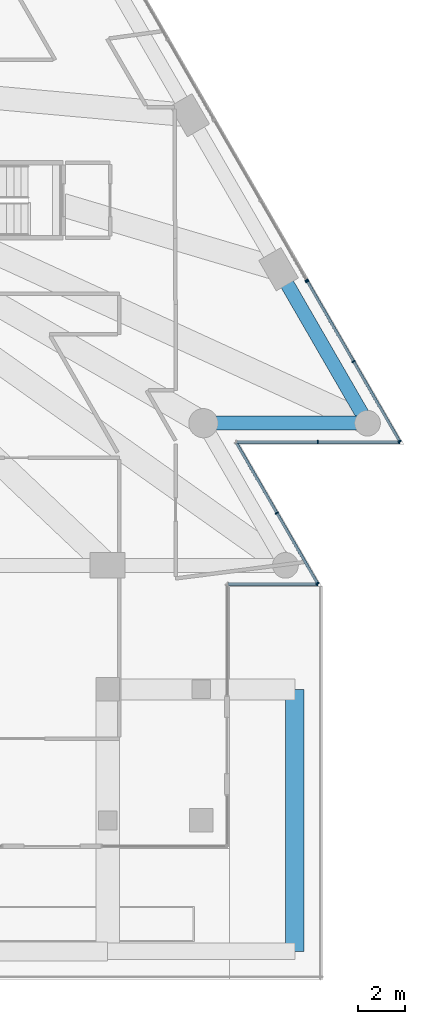
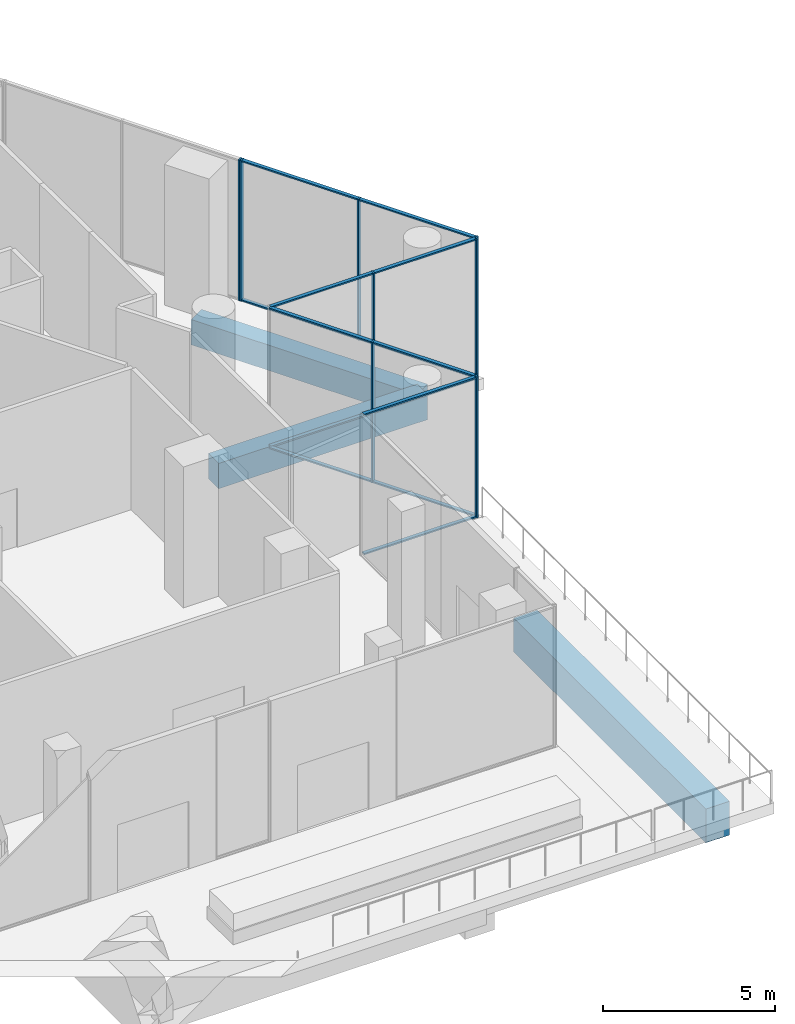
# One storey, part 15 of 29: 23 members, 3 beams, 5 elements without a shape of their own.
"""IFC4 building model written with IfcOpenShell, lengths in metres."""

from ifc_helpers import new_model, si_unit, direction, frame, origin, origin_2d, place, context, subcontext, project, spatial, rectangle, extrude, material, layer, layer_set, material_profile, profile_set, type_object, element, aggregate, save


model = new_model("IFC4")

# Units and contexts
model_context = context("Model", 3, precision=1e-05, world=origin(), true_north=direction((0.0, 1.0)))
body_context = subcontext(model_context, "Body", "Model", "MODEL_VIEW")
ifc_project = project(units=[si_unit("LENGTHUNIT", "METRE"), si_unit("AREAUNIT", "SQUARE_METRE"), si_unit("VOLUMEUNIT", "CUBIC_METRE"), si_unit("PLANEANGLEUNIT", "RADIAN"), si_unit("MASSUNIT", "GRAM", prefix="KILO")], contexts=[model_context])

# Site, building, storey
site_placement = place(None, origin())
site = spatial("IfcSite", under=ifc_project, at=site_placement, CompositionType="ELEMENT")
building_placement = place(site_placement, origin())
building = spatial("IfcBuilding", under=site, at=building_placement, Name="Triada Interchange Tower", CompositionType="ELEMENT")
storey_placement = place(building_placement, frame((0.0, 0.0, 19.89990234375)))
storey = spatial("IfcBuildingStorey", under=building, at=storey_placement, Name="L03", CompositionType="ELEMENT", Elevation=19.89990234375)

# Curtain wall, member
ifc_material_1 = material(Name="Aluminium framed glazing", Category="aluminium")
ifc_layer = layer(ifc_material_1, 0.199951171875)
ifc_layer_set = layer_set([ifc_layer], Name="Curtain wall Retail shopfront")
curtain_wall_type = type_object("IfcCurtainWallType", Name="Curtain wall Retail shopfront", PredefinedType="NOTDEFINED", material=ifc_layer_set)
curtain_wall_1_placement = place(storey_placement, origin())
curtain_wall_1 = element("IfcCurtainWall", 1, at=curtain_wall_1_placement, inside=storey, type_object=curtain_wall_type, Name="Retail shopfront CW010 L03", PredefinedType="NOTDEFINED")
ifc_material_2 = material(Name="Aluminium", Category="aluminium")
ifc_material_profile_1 = material_profile(ifc_material_2, rectangle(XDim=0.14990234375, YDim=0.050048828125, at=origin_2d()), Name="Aluminium mullion")
ifc_profile_set_1 = profile_set([ifc_material_profile_1], Name="Aluminium")
member_type_1 = type_object("IfcMemberType", Name="Mullion Retail shopfront 150x50", PredefinedType="MULLION", material=ifc_profile_set_1)
member_1_placement = place(storey_placement, frame((31.758056640625, -22.39990234375, 0.0), z_axis=(0.0, 0.0, 1.0), x_axis=(0.0, 1.0, 0.0)))
member_1 = element("IfcMember", 2, at=member_1_placement, type_object=member_type_1, Name="CW010 mullion 2", PredefinedType="MULLION", context=body_context, shape_type="SweptSolid", body=[
    extrude(rectangle(XDim=0.14990234375, YDim=0.050048828125, at=origin_2d()), origin(), (0.0, 0.0, 1.0), 5.0),
])

# Curtain wall, members
curtain_wall_2_placement = place(storey_placement, origin())
curtain_wall_2 = element("IfcCurtainWall", 3, at=curtain_wall_2_placement, inside=storey, type_object=curtain_wall_type, Name="Retail shopfront CW011 L03", PredefinedType="NOTDEFINED")
member_2_placement = place(storey_placement, frame((31.7705078125, -22.37841796875, 0.0), z_axis=(0.0, 0.0, 1.0), x_axis=(-0.866050272896, -0.499956922962, 0.0)))
member_2 = element("IfcMember", 4, at=member_2_placement, type_object=member_type_1, Name="CW011 mullion 1", PredefinedType="MULLION", context=body_context, shape_type="SweptSolid", body=[
    extrude(rectangle(XDim=0.14990234375, YDim=0.050048828125, at=origin_2d()), origin(), (0.0, 0.0, 1.0), 5.0),
])
member_3_placement = place(storey_placement, frame((30.029541015625, -19.362548828125, 0.0), z_axis=(0.0, 0.0, 1.0), x_axis=(-0.866050272896, -0.499956922962, 0.0)))
member_3 = element("IfcMember", 5, at=member_3_placement, type_object=member_type_1, Name="CW011 mullion 2", PredefinedType="MULLION", context=body_context, shape_type="SweptSolid", body=[
    extrude(rectangle(XDim=0.14990234375, YDim=0.050048828125, at=origin_2d()), origin(), (0.0, 0.0, 1.0), 5.0),
])

curtain_wall_3_placement = place(storey_placement, origin())
curtain_wall_3 = element("IfcCurtainWall", 6, at=curtain_wall_3_placement, inside=storey, type_object=curtain_wall_type, Name="Retail shopfront CW012 L03", PredefinedType="NOTDEFINED")
member_4_placement = place(storey_placement, frame((31.783447265625, -16.324951171875, 0.0), z_axis=(0.0, 0.0, 1.0), x_axis=(0.0, 1.0, 0.0)))
member_4 = element("IfcMember", 7, at=member_4_placement, type_object=member_type_1, Name="CW012 mullion 2", PredefinedType="MULLION", context=body_context, shape_type="SweptSolid", body=[
    extrude(rectangle(XDim=0.14990234375, YDim=0.050048828125, at=origin_2d()), origin(), (0.0, 0.0, 1.0), 5.0),
])
member_5_placement = place(storey_placement, frame((35.26611328125, -16.324951171875, 0.0), z_axis=(0.0, 0.0, 1.0), x_axis=(0.0, 1.0, 0.0)))
member_5 = element("IfcMember", 8, at=member_5_placement, type_object=member_type_1, Name="CW012 mullion 3", PredefinedType="MULLION", context=body_context, shape_type="SweptSolid", body=[
    extrude(rectangle(XDim=0.14990234375, YDim=0.050048828125, at=origin_2d()), origin(), (0.0, 0.0, 1.0), 5.0),
])

curtain_wall_4_placement = place(storey_placement, origin())
curtain_wall_4 = element("IfcCurtainWall", 9, at=curtain_wall_4_placement, inside=storey, type_object=curtain_wall_type, Name="Retail shopfront CW013 L03", PredefinedType="NOTDEFINED")
member_6_placement = place(storey_placement, frame((35.278564453125, -16.303466796875, 0.0), z_axis=(0.0, 0.0, 1.0), x_axis=(-0.86604927658, -0.499958648825, 0.0)))
member_6 = element("IfcMember", 10, at=member_6_placement, type_object=member_type_1, Name="CW013 mullion 1", PredefinedType="MULLION", context=body_context, shape_type="SweptSolid", body=[
    extrude(rectangle(XDim=0.14990234375, YDim=0.050048828125, at=origin_2d()), origin(), (0.0, 0.0, 1.0), 5.0),
])
member_7_placement = place(storey_placement, frame((33.305908203125, -12.886474609375, 0.0), z_axis=(0.0, 0.0, 1.0), x_axis=(-0.86604927658, -0.499958648825, 0.0)))
member_7 = element("IfcMember", 11, at=member_7_placement, type_object=member_type_1, Name="CW013 mullion 2", PredefinedType="MULLION", context=body_context, shape_type="SweptSolid", body=[
    extrude(rectangle(XDim=0.14990234375, YDim=0.050048828125, at=origin_2d()), origin(), (0.0, 0.0, 1.0), 5.0),
])
member_8_placement = place(storey_placement, frame((31.33349609375, -9.4697265625, 0.0), z_axis=(0.0, 0.0, 1.0), x_axis=(-0.86604927658, -0.499958648825, 0.0)))
member_8 = element("IfcMember", 12, at=member_8_placement, type_object=member_type_1, Name="CW013 mullion 3", PredefinedType="MULLION", context=body_context, shape_type="SweptSolid", body=[
    extrude(rectangle(XDim=0.14990234375, YDim=0.050048828125, at=origin_2d()), origin(), (0.0, 0.0, 1.0), 5.0),
])

# Curtain wall, member
curtain_wall_5_placement = place(storey_placement, origin())
curtain_wall_5 = element("IfcCurtainWall", 13, at=curtain_wall_5_placement, inside=storey, type_object=curtain_wall_type, Name="Retail shopfront CW014 L03", PredefinedType="NOTDEFINED")
member_9_placement = place(storey_placement, frame((31.302490234375, -9.417236328125, 0.0), z_axis=(0.0, 0.0, 1.0), x_axis=(-0.866055473648, -0.499947913852, 0.0)))
member_9 = element("IfcMember", 14, at=member_9_placement, type_object=member_type_1, Name="CW014 mullion 1", PredefinedType="MULLION", context=body_context, shape_type="SweptSolid", body=[
    extrude(rectangle(XDim=0.14990234375, YDim=0.050048828125, at=origin_2d()), origin(), (0.0, 0.0, 1.0), 5.0),
])
aggregate(curtain_wall_5, [member_9])

# Beams
ifc_material_3 = material(Name="Concrete C50/60", Category="concrete")
ifc_material_profile_2 = material_profile(ifc_material_3, rectangle(XDim=0.60009765625, YDim=0.89990234375, at=origin_2d()), Name="RC 600x900")
ifc_profile_set_2 = profile_set([ifc_material_profile_2], Name="Concrete C50/60")
beam_type_1 = type_object("IfcBeamType", Name="Spandrel beam P RC 600x900", PredefinedType="BEAM", material=ifc_profile_set_2)
beam_1_placement = place(storey_placement, frame((26.889892578125, -15.52490234375, -0.849853515625), z_axis=(1.0, 0.0, 0.0), x_axis=(0.0, 1.0, 0.0)))
element("IfcBeam", 15, at=beam_1_placement, inside=storey, type_object=beam_type_1, Name="Spandrel beam EP20 L03", PredefinedType="BEAM", context=body_context, shape_type="SweptSolid", body=[
    extrude(rectangle(XDim=0.60009765625, YDim=0.89990234375, at=origin_2d()), origin(), (0.0, 0.0, 1.0), 7.01513671875),
])
beam_2_placement = place(storey_placement, frame((33.905029296875, -15.52490234375, -0.849853515625), z_axis=(-0.500060803479, 0.865990296034, 0.0), x_axis=(-0.865990296034, -0.500060803479, 0.0)))
element("IfcBeam", 16, at=beam_2_placement, inside=storey, type_object=beam_type_1, Name="Spandrel beam EP21 L03", PredefinedType="BEAM", context=body_context, shape_type="SweptSolid", body=[
    extrude(rectangle(XDim=0.60009765625, YDim=0.89990234375, at=origin_2d()), origin(), (0.0, 0.0, 1.0), 7.59912109375),
])
ifc_material_4 = material(Name="Concrete C40/50", Category="concrete")
ifc_material_profile_3 = material_profile(ifc_material_4, rectangle(XDim=0.800048828125, YDim=1.199951171875, at=origin_2d()), Name="RC 800x1200")
ifc_profile_set_3 = profile_set([ifc_material_profile_3], Name="Concrete C40/50")
beam_type_2 = type_object("IfcBeamType", Name="Terrace beam RC 800x1200", PredefinedType="BEAM", material=ifc_profile_set_3)
beam_3_placement = place(storey_placement, frame((30.800048828125, -38.10009765625, -1.0), z_axis=(0.0, 1.0, 0.0), x_axis=(-1.0, 0.0, 0.0)))
element("IfcBeam", 17, at=beam_3_placement, inside=storey, type_object=beam_type_2, Name="Terrace beam TE04 L03", PredefinedType="BEAM", context=body_context, shape_type="SweptSolid", body=[
    extrude(rectangle(XDim=0.800048828125, YDim=1.199951171875, at=origin_2d()), origin(), (0.0, 0.0, 1.0), 11.2001953125),
])

# Member
ifc_material_profile_4 = material_profile(ifc_material_2, rectangle(XDim=0.1201171875, YDim=0.050048828125, at=origin_2d()), Name="Aluminium transom")
ifc_profile_set_4 = profile_set([ifc_material_profile_4], Name="Aluminium")
member_type_2 = type_object("IfcMemberType", Name="Transom Retail shopfront 120x50", PredefinedType="USERDEFINED", material=ifc_profile_set_4)
member_10_placement = place(storey_placement, frame((27.949951171875, -22.39990234375, 0.025146484375), z_axis=(1.0, 0.0, 0.0), x_axis=(0.0, 1.0, 0.0)))
member_10 = element("IfcMember", 18, at=member_10_placement, type_object=member_type_2, Name="CW010 transom 1.1", ObjectType="TRANSOM", PredefinedType="USERDEFINED", context=body_context, shape_type="SweptSolid", body=[
    extrude(rectangle(XDim=0.1201171875, YDim=0.050048828125, at=origin_2d()), origin(), (0.0, 0.0, 1.0), 3.782958984375),
])

member_11_placement = place(storey_placement, frame((27.949951171875, -22.39990234375, 4.97509765625), z_axis=(1.0, 0.0, 0.0), x_axis=(0.0, 1.0, 0.0)))
member_11 = element("IfcMember", 19, at=member_11_placement, type_object=member_type_2, Name="CW010 transom 1.2", ObjectType="TRANSOM", PredefinedType="USERDEFINED", context=body_context, shape_type="SweptSolid", body=[
    extrude(rectangle(XDim=0.1201171875, YDim=0.050048828125, at=origin_2d()), origin(), (0.0, 0.0, 1.0), 3.782958984375),
])

aggregate(curtain_wall_1, [member_1, member_10, member_11])

member_12_placement = place(storey_placement, frame((31.758056640625, -22.356689453125, 0.025146484375), z_axis=(-0.499956422411, 0.866050561855, 0.0), x_axis=(-0.866050561855, -0.499956422411, 0.0)))
member_12 = element("IfcMember", 20, at=member_12_placement, type_object=member_type_2, Name="CW011 transom 1.1", ObjectType="TRANSOM", PredefinedType="USERDEFINED", context=body_context, shape_type="SweptSolid", body=[
    extrude(rectangle(XDim=0.1201171875, YDim=0.050048828125, at=origin_2d()), origin(), (0.0, 0.0, 1.0), 3.432373046875),
])

member_13_placement = place(storey_placement, frame((31.758056640625, -22.356689453125, 4.97509765625), z_axis=(-0.499956422411, 0.866050561855, 0.0), x_axis=(-0.866050561855, -0.499956422411, 0.0)))
member_13 = element("IfcMember", 21, at=member_13_placement, type_object=member_type_2, Name="CW011 transom 1.2", ObjectType="TRANSOM", PredefinedType="USERDEFINED", context=body_context, shape_type="SweptSolid", body=[
    extrude(rectangle(XDim=0.1201171875, YDim=0.050048828125, at=origin_2d()), origin(), (0.0, 0.0, 1.0), 3.432373046875),
])

member_14_placement = place(storey_placement, frame((30.01708984375, -19.3408203125, 0.025146484375), z_axis=(-0.499987221389, 0.866032781393, 0.0), x_axis=(-0.866032781393, -0.499987221389, 0.0)))
member_14 = element("IfcMember", 22, at=member_14_placement, type_object=member_type_2, Name="CW011 transom 2.1", ObjectType="TRANSOM", PredefinedType="USERDEFINED", context=body_context, shape_type="SweptSolid", body=[
    extrude(rectangle(XDim=0.1201171875, YDim=0.050048828125, at=origin_2d()), origin(), (0.0, 0.0, 1.0), 3.43212890625),
])

member_15_placement = place(storey_placement, frame((30.01708984375, -19.3408203125, 4.97509765625), z_axis=(-0.499987221389, 0.866032781393, 0.0), x_axis=(-0.866032781393, -0.499987221389, 0.0)))
member_15 = element("IfcMember", 23, at=member_15_placement, type_object=member_type_2, Name="CW011 transom 2.2", ObjectType="TRANSOM", PredefinedType="USERDEFINED", context=body_context, shape_type="SweptSolid", body=[
    extrude(rectangle(XDim=0.1201171875, YDim=0.050048828125, at=origin_2d()), origin(), (0.0, 0.0, 1.0), 3.43212890625),
])

aggregate(curtain_wall_2, [member_2, member_3, member_12, member_13, member_14, member_15])

member_16_placement = place(storey_placement, frame((28.325927734375, -16.324951171875, 0.025146484375), z_axis=(1.0, 0.0, 0.0), x_axis=(0.0, 1.0, 0.0)))
member_16 = element("IfcMember", 24, at=member_16_placement, type_object=member_type_2, Name="CW012 transom 1.1", ObjectType="TRANSOM", PredefinedType="USERDEFINED", context=body_context, shape_type="SweptSolid", body=[
    extrude(rectangle(XDim=0.1201171875, YDim=0.050048828125, at=origin_2d()), origin(), (0.0, 0.0, 1.0), 3.4326171875),
])

member_17_placement = place(storey_placement, frame((28.325927734375, -16.324951171875, 4.97509765625), z_axis=(1.0, 0.0, 0.0), x_axis=(0.0, 1.0, 0.0)))
member_17 = element("IfcMember", 25, at=member_17_placement, type_object=member_type_2, Name="CW012 transom 1.2", ObjectType="TRANSOM", PredefinedType="USERDEFINED", context=body_context, shape_type="SweptSolid", body=[
    extrude(rectangle(XDim=0.1201171875, YDim=0.050048828125, at=origin_2d()), origin(), (0.0, 0.0, 1.0), 3.4326171875),
])

member_18_placement = place(storey_placement, frame((31.80859375, -16.324951171875, 0.025146484375), z_axis=(1.0, 0.0, 0.0), x_axis=(0.0, 1.0, 0.0)))
member_18 = element("IfcMember", 26, at=member_18_placement, type_object=member_type_2, Name="CW012 transom 2.1", ObjectType="TRANSOM", PredefinedType="USERDEFINED", context=body_context, shape_type="SweptSolid", body=[
    extrude(rectangle(XDim=0.1201171875, YDim=0.050048828125, at=origin_2d()), origin(), (0.0, 0.0, 1.0), 3.432373046875),
])

member_19_placement = place(storey_placement, frame((31.80859375, -16.324951171875, 4.97509765625), z_axis=(1.0, 0.0, 0.0), x_axis=(0.0, 1.0, 0.0)))
member_19 = element("IfcMember", 27, at=member_19_placement, type_object=member_type_2, Name="CW012 transom 2.2", ObjectType="TRANSOM", PredefinedType="USERDEFINED", context=body_context, shape_type="SweptSolid", body=[
    extrude(rectangle(XDim=0.1201171875, YDim=0.050048828125, at=origin_2d()), origin(), (0.0, 0.0, 1.0), 3.432373046875),
])

aggregate(curtain_wall_3, [member_4, member_5, member_16, member_17, member_18, member_19])

member_20_placement = place(storey_placement, frame((35.26611328125, -16.28173828125, 0.025146484375), z_axis=(-0.499961171201, 0.866047820441, 0.0), x_axis=(-0.866047820441, -0.499961171201, 0.0)))
member_20 = element("IfcMember", 28, at=member_20_placement, type_object=member_type_2, Name="CW013 transom 1.1", ObjectType="TRANSOM", PredefinedType="USERDEFINED", context=body_context, shape_type="SweptSolid", body=[
    extrude(rectangle(XDim=0.1201171875, YDim=0.050048828125, at=origin_2d()), origin(), (0.0, 0.0, 1.0), 3.895263671875),
])

member_21_placement = place(storey_placement, frame((35.26611328125, -16.28173828125, 4.97509765625), z_axis=(-0.499961171201, 0.866047820441, 0.0), x_axis=(-0.866047820441, -0.499961171201, 0.0)))
member_21 = element("IfcMember", 29, at=member_21_placement, type_object=member_type_2, Name="CW013 transom 1.2", ObjectType="TRANSOM", PredefinedType="USERDEFINED", context=body_context, shape_type="SweptSolid", body=[
    extrude(rectangle(XDim=0.1201171875, YDim=0.050048828125, at=origin_2d()), origin(), (0.0, 0.0, 1.0), 3.895263671875),
])

member_22_placement = place(storey_placement, frame((33.29345703125, -12.86474609375, 0.025146484375), z_axis=(-0.499961171201, 0.866047820441, 0.0), x_axis=(-0.866047820441, -0.499961171201, 0.0)))
member_22 = element("IfcMember", 30, at=member_22_placement, type_object=member_type_2, Name="CW013 transom 2.1", ObjectType="TRANSOM", PredefinedType="USERDEFINED", context=body_context, shape_type="SweptSolid", body=[
    extrude(rectangle(XDim=0.1201171875, YDim=0.050048828125, at=origin_2d()), origin(), (0.0, 0.0, 1.0), 3.895263671875),
])

member_23_placement = place(storey_placement, frame((33.29345703125, -12.86474609375, 4.97509765625), z_axis=(-0.499961171201, 0.866047820441, 0.0), x_axis=(-0.866047820441, -0.499961171201, 0.0)))
member_23 = element("IfcMember", 31, at=member_23_placement, type_object=member_type_2, Name="CW013 transom 2.2", ObjectType="TRANSOM", PredefinedType="USERDEFINED", context=body_context, shape_type="SweptSolid", body=[
    extrude(rectangle(XDim=0.1201171875, YDim=0.050048828125, at=origin_2d()), origin(), (0.0, 0.0, 1.0), 3.895263671875),
])

aggregate(curtain_wall_4, [member_6, member_7, member_8, member_20, member_21, member_22, member_23])

save(model, "model.ifc")
